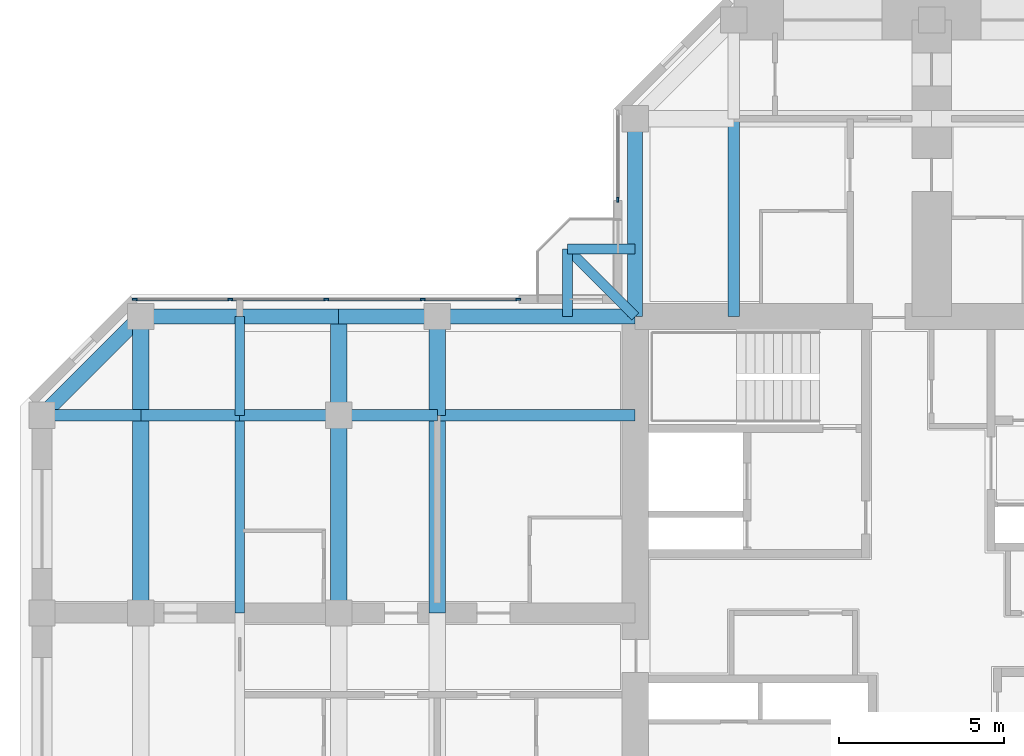
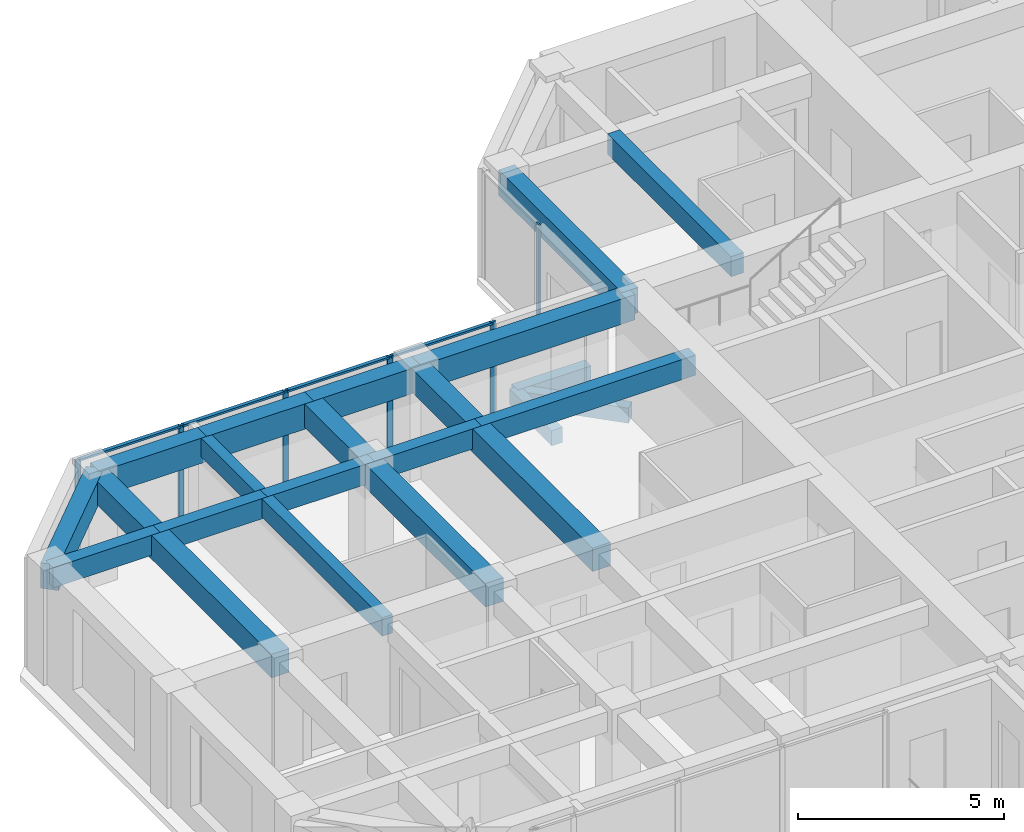
# One storey, part 4 of 14: 23 beams, 10 members, 2 elements without a shape of their own.
"""IFC4 building model written with IfcOpenShell, lengths in metres."""

from ifc_helpers import new_model, si_unit, direction, frame, origin, origin_2d, place, context, subcontext, project, spatial, rectangle, extrude, material, material_profile, profile_set, type_object, element, aggregate, save


model = new_model("IFC4")

# Units and contexts
model_context = context("Model", 3, precision=1e-05, world=origin(), true_north=direction((0.0, 1.0)))
body_context = subcontext(model_context, "Body", "Model", "MODEL_VIEW")
ifc_project = project(units=[si_unit("LENGTHUNIT", "METRE"), si_unit("AREAUNIT", "SQUARE_METRE"), si_unit("VOLUMEUNIT", "CUBIC_METRE"), si_unit("PLANEANGLEUNIT", "RADIAN"), si_unit("MASSUNIT", "GRAM", prefix="KILO")], contexts=[model_context])

# Site, building, storey
site_placement = place(None, origin())
site = spatial("IfcSite", under=ifc_project, at=site_placement, CompositionType="ELEMENT")
building_placement = place(site_placement, origin())
building = spatial("IfcBuilding", under=site, at=building_placement, Name="Torre Cruceta", CompositionType="ELEMENT")
storey_placement = place(building_placement, frame((0.0, 0.0, 228.89990234375)))
storey = spatial("IfcBuildingStorey", under=building, at=storey_placement, Name="L58", CompositionType="ELEMENT", Elevation=228.89990234375)

# Beams
ifc_material_1 = material(Name="Concrete G60 (fck 60 MPa)", Category="concrete")
ifc_material_profile_1 = material_profile(ifc_material_1, rectangle(XDim=0.300048828125, YDim=0.449951171875, at=origin_2d()), Name="RC 300X450")
ifc_profile_set_1 = profile_set([ifc_material_profile_1], Name="Concrete G60 (fck 60 MPa)")
beam_type_1 = type_object("IfcBeamType", Name="BALCONY CANTILEVER BEAM RC 300X450", PredefinedType="BEAM", material=ifc_profile_set_1)
beam_1_placement = place(storey_placement, frame((-9.0, 9.0, -0.40478515625), z_axis=(-0.707106781187, 0.707106781187, 0.0), x_axis=(-0.707106781187, -0.707106781187, 0.0)))
element("IfcBeam", 1, at=beam_1_placement, inside=storey, type_object=beam_type_1, Name="BB1 balcony beam L58 N", PredefinedType="BEAM", context=body_context, shape_type="SweptSolid", body=[
    extrude(rectangle(XDim=0.300048828125, YDim=0.449951171875, at=origin_2d()), origin(), (0.0, 0.0, 1.0), 2.89990234375),
])
for number, where, z_axis, x_axis, name in (
    (2, (-11.050537109375, 9.0, -0.40478515625), (0.0, 1.0, 0.0), (-1.0, 0.0, 0.0), "BB1 balcony edge beam L58 N-X"),
    (3, (-9.0, 11.050537109375, -0.40478515625), (-1.0, 0.0, 0.0), (0.0, -1.0, 0.0), "BB1 balcony edge beam L58 N-Y"),
):
    element("IfcBeam", number, at=place(storey_placement, frame(where, z_axis=z_axis, x_axis=x_axis)), inside=storey, type_object=beam_type_1, Name=name, PredefinedType="BEAM", context=body_context, shape_type="SweptSolid", body=[
        extrude(rectangle(XDim=0.300048828125, YDim=0.449951171875, at=origin_2d()), origin(), (0.0, 0.0, 1.0), 2.050537109375),
    ])
ifc_material_2 = material(Name="Concrete G60 (fck 60 MPa)", Category="concrete")
ifc_material_profile_2 = material_profile(ifc_material_2, rectangle(XDim=0.35009765625, YDim=0.60009765625, at=origin_2d()), Name="RC 350X600")
ifc_profile_set_2 = profile_set([ifc_material_profile_2], Name="Concrete G60 (fck 60 MPa)")
beam_type_2 = type_object("IfcBeamType", Name="COLUMN LINE BEAM RC 350X600", PredefinedType="BEAM", material=ifc_profile_set_2)
for number, where, z_axis, x_axis, name in (
    (4, (-6.0, 9.0, 2.920166015625), (0.0, 1.0, 0.0), (-1.0, 0.0, 0.0), "LB9 L58 N col+ 1"),
    (5, (-9.0, 6.0, 2.920166015625), (-1.0, 0.0, 0.0), (0.0, -1.0, 0.0), "LB9 L58 W col- 1"),
):
    element("IfcBeam", number, at=place(storey_placement, frame(where, z_axis=z_axis, x_axis=x_axis)), inside=storey, type_object=beam_type_2, Name=name, PredefinedType="BEAM", context=body_context, shape_type="SweptSolid", body=[
        extrude(rectangle(XDim=0.35009765625, YDim=0.60009765625, at=origin_2d()), origin(), (0.0, 0.0, 1.0), 6.0),
    ])
for number, where, z_axis, x_axis, name in (
    (6, (-15.0, 6.0, 2.920166015625), (-1.0, 0.0, 0.0), (0.0, -1.0, 0.0), "LB9 L58 W col- 2"),
    (7, (-18.0, 6.0, 2.920166015625), (-1.0, 0.0, 0.0), (0.0, -1.0, 0.0), "LB9 L58 W col- 3"),
    (8, (-21.0, 6.0, 2.920166015625), (-1.0, 0.0, 0.0), (0.0, -1.0, 0.0), "LB9 L58 W col- 4"),
    (9, (-24.0, 6.0, 2.920166015625), (-1.0, 0.0, 0.0), (0.0, -1.0, 0.0), "LB9 L58 W col- 5"),
):
    element("IfcBeam", number, at=place(storey_placement, frame(where, z_axis=z_axis, x_axis=x_axis)), inside=storey, type_object=beam_type_2, Name=name, PredefinedType="BEAM", context=body_context, shape_type="SweptSolid", body=[
        extrude(rectangle(XDim=0.35009765625, YDim=0.60009765625, at=origin_2d()), origin(), (0.0, 0.0, 1.0), 3.0),
    ])
ifc_material_3 = material(Name="Concrete G60 (fck 60 MPa)", Category="concrete")
ifc_material_profile_3 = material_profile(ifc_material_3, rectangle(XDim=0.5, YDim=0.699951171875, at=origin_2d()), Name="RC 500X700")
ifc_profile_set_3 = profile_set([ifc_material_profile_3], Name="Concrete G60 (fck 60 MPa)")
beam_type_3 = type_object("IfcBeamType", Name="CROSS BEAM RC 500X700", PredefinedType="BEAM", material=ifc_profile_set_3)
beam_2_placement = place(storey_placement, frame((-15.0, 9.0, 2.8701171875), z_axis=(0.0, -1.0, 0.0), x_axis=(1.0, 0.0, 0.0)))
element("IfcBeam", 10, at=beam_2_placement, inside=storey, type_object=beam_type_3, Name="GB7 L58 W cross15 1", PredefinedType="BEAM", context=body_context, shape_type="SweptSolid", body=[
    extrude(rectangle(XDim=0.5, YDim=0.699951171875, at=origin_2d()), origin(), (0.0, 0.0, 1.0), 3.0),
])
beam_3_placement = place(storey_placement, frame((-15.0, 6.0, 2.8701171875), z_axis=(0.0, -1.0, 0.0), x_axis=(1.0, 0.0, 0.0)))
element("IfcBeam", 11, at=beam_3_placement, inside=storey, type_object=beam_type_3, Name="GB7 L58 W cross15 2", PredefinedType="BEAM", context=body_context, shape_type="SweptSolid", body=[
    extrude(rectangle(XDim=0.5, YDim=0.699951171875, at=origin_2d()), origin(), (0.0, 0.0, 1.0), 6.0),
])
beam_4_placement = place(storey_placement, frame((-18.0, 9.0, 2.8701171875), z_axis=(0.0, -1.0, 0.0), x_axis=(1.0, 0.0, 0.0)))
element("IfcBeam", 12, at=beam_4_placement, inside=storey, type_object=beam_type_3, Name="GB7 L58 W cross18 1", PredefinedType="BEAM", context=body_context, shape_type="SweptSolid", body=[
    extrude(rectangle(XDim=0.5, YDim=0.699951171875, at=origin_2d()), origin(), (0.0, 0.0, 1.0), 3.0),
])
beam_5_placement = place(storey_placement, frame((-18.0, 6.0, 2.8701171875), z_axis=(0.0, -1.0, 0.0), x_axis=(1.0, 0.0, 0.0)))
element("IfcBeam", 13, at=beam_5_placement, inside=storey, type_object=beam_type_3, Name="GB7 L58 W cross18 2", PredefinedType="BEAM", context=body_context, shape_type="SweptSolid", body=[
    extrude(rectangle(XDim=0.5, YDim=0.699951171875, at=origin_2d()), origin(), (0.0, 0.0, 1.0), 6.0),
])
beam_6_placement = place(storey_placement, frame((-24.0, 9.0, 2.8701171875), z_axis=(0.0, -1.0, 0.0), x_axis=(1.0, 0.0, 0.0)))
element("IfcBeam", 14, at=beam_6_placement, inside=storey, type_object=beam_type_3, Name="GB7 L58 W cross24 1", PredefinedType="BEAM", context=body_context, shape_type="SweptSolid", body=[
    extrude(rectangle(XDim=0.5, YDim=0.699951171875, at=origin_2d()), origin(), (0.0, 0.0, 1.0), 3.0),
])
beam_7_placement = place(storey_placement, frame((-24.0, 6.0, 2.8701171875), z_axis=(0.0, -1.0, 0.0), x_axis=(1.0, 0.0, 0.0)))
element("IfcBeam", 15, at=beam_7_placement, inside=storey, type_object=beam_type_3, Name="GB7 L58 W cross24 2", PredefinedType="BEAM", context=body_context, shape_type="SweptSolid", body=[
    extrude(rectangle(XDim=0.5, YDim=0.699951171875, at=origin_2d()), origin(), (0.0, 0.0, 1.0), 6.0),
])

# Curtain wall, member
ifc_material_4 = material(Name="Aluminium unitised curtain wall", Category="aluminium")
curtain_wall_type = type_object("IfcCurtainWallType", Name="CURTAIN WALL CW-D CO-LIVING UPPER", PredefinedType="USERDEFINED", material=ifc_material_4)
curtain_wall_1_placement = place(storey_placement, origin())
curtain_wall_1 = element("IfcCurtainWall", 16, at=curtain_wall_1_placement, inside=storey, type_object=curtain_wall_type, Name="CW-D L58 N side 09", ObjectType="UNITISED", PredefinedType="USERDEFINED")
ifc_material_5 = material(Name="Aluminium mullion", Category="aluminium")
ifc_material_profile_4 = material_profile(ifc_material_5, rectangle(XDim=0.06005859375, YDim=0.14990234375, at=origin_2d()), Name="AL 60X150")
ifc_profile_set_4 = profile_set([ifc_material_profile_4], Name="Aluminium mullion")
member_type_1 = type_object("IfcMemberType", Name="CW-D MULLION 60X150", PredefinedType="MULLION", material=ifc_profile_set_4)
member_1_placement = place(storey_placement, frame((-9.52001953125, 12.550048828125, 0.0), z_axis=(0.0, 0.0, 1.0), x_axis=(1.0, 0.0, 0.0)))
member_1 = element("IfcMember", 17, at=member_1_placement, type_object=member_type_1, Name="CW-D mullion 2", PredefinedType="MULLION", context=body_context, shape_type="SweptSolid", body=[
    extrude(rectangle(XDim=0.06005859375, YDim=0.14990234375, at=origin_2d()), origin(), (0.0, 0.0, 1.0), 3.22021484375),
])
aggregate(curtain_wall_1, [member_1])

# Curtain wall, members
curtain_wall_2_placement = place(storey_placement, origin())
curtain_wall_2 = element("IfcCurtainWall", 18, at=curtain_wall_2_placement, inside=storey, type_object=curtain_wall_type, Name="CW-D L58 W side 10", ObjectType="UNITISED", PredefinedType="USERDEFINED")
member_2_placement = place(storey_placement, frame((-12.550048828125, 9.52001953125, 0.0), z_axis=(0.0, 0.0, 1.0), x_axis=(0.0, -1.0, 0.0)))
member_2 = element("IfcMember", 19, at=member_2_placement, type_object=member_type_1, Name="CW-D mullion 1", PredefinedType="MULLION", context=body_context, shape_type="SweptSolid", body=[
    extrude(rectangle(XDim=0.06005859375, YDim=0.14990234375, at=origin_2d()), origin(), (0.0, 0.0, 1.0), 3.22021484375),
])
member_3_placement = place(storey_placement, frame((-15.44384765625, 9.52001953125, 0.0), z_axis=(0.0, 0.0, 1.0), x_axis=(0.0, -1.0, 0.0)))
member_3 = element("IfcMember", 20, at=member_3_placement, type_object=member_type_1, Name="CW-D mullion 2", PredefinedType="MULLION", context=body_context, shape_type="SweptSolid", body=[
    extrude(rectangle(XDim=0.06005859375, YDim=0.14990234375, at=origin_2d()), origin(), (0.0, 0.0, 1.0), 3.22021484375),
])
member_4_placement = place(storey_placement, frame((-18.36767578125, 9.52001953125, 0.0), z_axis=(0.0, 0.0, 1.0), x_axis=(0.0, -1.0, 0.0)))
member_4 = element("IfcMember", 21, at=member_4_placement, type_object=member_type_1, Name="CW-D mullion 3", PredefinedType="MULLION", context=body_context, shape_type="SweptSolid", body=[
    extrude(rectangle(XDim=0.06005859375, YDim=0.14990234375, at=origin_2d()), origin(), (0.0, 0.0, 1.0), 3.22021484375),
])
member_5_placement = place(storey_placement, frame((-21.29150390625, 9.52001953125, 0.0), z_axis=(0.0, 0.0, 1.0), x_axis=(0.0, -1.0, 0.0)))
member_5 = element("IfcMember", 22, at=member_5_placement, type_object=member_type_1, Name="CW-D mullion 4", PredefinedType="MULLION", context=body_context, shape_type="SweptSolid", body=[
    extrude(rectangle(XDim=0.06005859375, YDim=0.14990234375, at=origin_2d()), origin(), (0.0, 0.0, 1.0), 3.22021484375),
])
member_6_placement = place(storey_placement, frame((-24.185302734375, 9.52001953125, 0.0), z_axis=(0.0, 0.0, 1.0), x_axis=(0.0, -1.0, 0.0)))
member_6 = element("IfcMember", 23, at=member_6_placement, type_object=member_type_1, Name="CW-D mullion 5", PredefinedType="MULLION", context=body_context, shape_type="SweptSolid", body=[
    extrude(rectangle(XDim=0.06005859375, YDim=0.14990234375, at=origin_2d()), origin(), (0.0, 0.0, 1.0), 3.22021484375),
])
ifc_material_6 = material(Name="Aluminium transom", Category="aluminium")
ifc_material_profile_5 = material_profile(ifc_material_6, rectangle(XDim=0.10009765625, YDim=0.06005859375, at=origin_2d()), Name="AL 100X60")
ifc_profile_set_5 = profile_set([ifc_material_profile_5], Name="Aluminium transom")
member_type_2 = type_object("IfcMemberType", Name="CW-D TRANSOM 60X100", PredefinedType="USERDEFINED", material=ifc_profile_set_5)
member_7_placement = place(storey_placement, frame((-12.580078125, 9.52001953125, 3.190185546875), z_axis=(-1.0, 0.0, 0.0), x_axis=(0.0, -1.0, 0.0)))
member_7 = element("IfcMember", 24, at=member_7_placement, type_object=member_type_2, Name="CW-D transom 1", ObjectType="TRANSOM", PredefinedType="USERDEFINED", context=body_context, shape_type="SweptSolid", body=[
    extrude(rectangle(XDim=0.10009765625, YDim=0.06005859375, at=origin_2d()), origin(), (0.0, 0.0, 1.0), 2.833740234375),
])
member_8_placement = place(storey_placement, frame((-15.473876953125, 9.52001953125, 3.190185546875), z_axis=(-1.0, 0.0, 0.0), x_axis=(0.0, -1.0, 0.0)))
member_8 = element("IfcMember", 25, at=member_8_placement, type_object=member_type_2, Name="CW-D transom 2", ObjectType="TRANSOM", PredefinedType="USERDEFINED", context=body_context, shape_type="SweptSolid", body=[
    extrude(rectangle(XDim=0.10009765625, YDim=0.06005859375, at=origin_2d()), origin(), (0.0, 0.0, 1.0), 2.86376953125),
])
member_9_placement = place(storey_placement, frame((-18.397705078125, 9.52001953125, 3.190185546875), z_axis=(-1.0, 0.0, 0.0), x_axis=(0.0, -1.0, 0.0)))
member_9 = element("IfcMember", 26, at=member_9_placement, type_object=member_type_2, Name="CW-D transom 3", ObjectType="TRANSOM", PredefinedType="USERDEFINED", context=body_context, shape_type="SweptSolid", body=[
    extrude(rectangle(XDim=0.10009765625, YDim=0.06005859375, at=origin_2d()), origin(), (0.0, 0.0, 1.0), 2.86376953125),
])
member_10_placement = place(storey_placement, frame((-21.321533203125, 9.52001953125, 3.190185546875), z_axis=(-1.0, 0.0, 0.0), x_axis=(0.0, -1.0, 0.0)))
member_10 = element("IfcMember", 27, at=member_10_placement, type_object=member_type_2, Name="CW-D transom 4", ObjectType="TRANSOM", PredefinedType="USERDEFINED", context=body_context, shape_type="SweptSolid", body=[
    extrude(rectangle(XDim=0.10009765625, YDim=0.06005859375, at=origin_2d()), origin(), (0.0, 0.0, 1.0), 2.833740234375),
])
aggregate(curtain_wall_2, [member_2, member_3, member_4, member_5, member_6, member_7, member_8, member_9, member_10])

# Beams
ifc_material_7 = material(Name="Concrete G60 (fck 60 MPa)", Category="concrete")
ifc_material_profile_6 = material_profile(ifc_material_7, rectangle(XDim=0.300048828125, YDim=0.550048828125, at=origin_2d()), Name="RC 300X550")
ifc_profile_set_6 = profile_set([ifc_material_profile_6], Name="Concrete G60 (fck 60 MPa)")
beam_type_4 = type_object("IfcBeamType", Name="SECONDARY BEAM RC 300X550", PredefinedType="JOIST", material=ifc_profile_set_6)
beam_8_placement = place(storey_placement, frame((-21.0, 9.0, 2.945068359375), z_axis=(0.0, -1.0, 0.0), x_axis=(1.0, 0.0, 0.0)))
element("IfcBeam", 28, at=beam_8_placement, inside=storey, type_object=beam_type_4, Name="JB7 L58 W sec21 1", PredefinedType="JOIST", context=body_context, shape_type="SweptSolid", body=[
    extrude(rectangle(XDim=0.300048828125, YDim=0.550048828125, at=origin_2d()), origin(), (0.0, 0.0, 1.0), 3.0),
])
beam_9_placement = place(storey_placement, frame((-21.0, 6.0, 2.945068359375), z_axis=(0.0, -1.0, 0.0), x_axis=(1.0, 0.0, 0.0)))
element("IfcBeam", 29, at=beam_9_placement, inside=storey, type_object=beam_type_4, Name="JB7 L58 W sec21 2", PredefinedType="JOIST", context=body_context, shape_type="SweptSolid", body=[
    extrude(rectangle(XDim=0.300048828125, YDim=0.550048828125, at=origin_2d()), origin(), (0.0, 0.0, 1.0), 6.0),
])
ifc_material_8 = material(Name="Concrete G60 (fck 60 MPa)", Category="concrete")
ifc_material_profile_7 = material_profile(ifc_material_8, rectangle(XDim=0.449951171875, YDim=0.75, at=origin_2d()), Name="RC 450X750")
ifc_profile_set_7 = profile_set([ifc_material_profile_7], Name="Concrete G60 (fck 60 MPa)")
beam_type_5 = type_object("IfcBeamType", Name="SPANDREL BEAM RC 450X750", PredefinedType="SPANDREL", material=ifc_profile_set_7)
for number, where, z_axis, x_axis, name in (
    (30, (-9.0, 9.0, 2.84521484375), (0.0, 1.0, 0.0), (-1.0, 0.0, 0.0), "SB7 L58 N side+ 1"),
    (31, (-9.0, 9.0, 2.84521484375), (-1.0, 0.0, 0.0), (0.0, -1.0, 0.0), "SB7 L58 W side- 1"),
):
    element("IfcBeam", number, at=place(storey_placement, frame(where, z_axis=z_axis, x_axis=x_axis)), inside=storey, type_object=beam_type_5, Name=name, PredefinedType="SPANDREL", context=body_context, shape_type="SweptSolid", body=[
        extrude(rectangle(XDim=0.449951171875, YDim=0.75, at=origin_2d()), origin(), (0.0, 0.0, 1.0), 6.0),
    ])
for number, where, z_axis, x_axis, name in (
    (32, (-15.0, 9.0, 2.84521484375), (-1.0, 0.0, 0.0), (0.0, -1.0, 0.0), "SB7 L58 W side- 2"),
    (33, (-18.0, 9.0, 2.84521484375), (-1.0, 0.0, 0.0), (0.0, -1.0, 0.0), "SB7 L58 W side- 3"),
    (34, (-21.0, 9.0, 2.84521484375), (-1.0, 0.0, 0.0), (0.0, -1.0, 0.0), "SB7 L58 W side- 4"),
):
    element("IfcBeam", number, at=place(storey_placement, frame(where, z_axis=z_axis, x_axis=x_axis)), inside=storey, type_object=beam_type_5, Name=name, PredefinedType="SPANDREL", context=body_context, shape_type="SweptSolid", body=[
        extrude(rectangle(XDim=0.449951171875, YDim=0.75, at=origin_2d()), origin(), (0.0, 0.0, 1.0), 3.0),
    ])
beam_10_placement = place(storey_placement, frame((-24.0, 9.0, 2.84521484375), z_axis=(-0.707106781187, -0.707106781187, 0.0), x_axis=(0.707106781187, -0.707106781187, 0.0)))
element("IfcBeam", 35, at=beam_10_placement, inside=storey, type_object=beam_type_5, Name="SB7 L58 W side- 5", PredefinedType="SPANDREL", context=body_context, shape_type="SweptSolid", body=[
    extrude(rectangle(XDim=0.449951171875, YDim=0.75, at=origin_2d()), origin(), (0.0, 0.0, 1.0), 4.24267578125),
])

save(model, "model.ifc")
